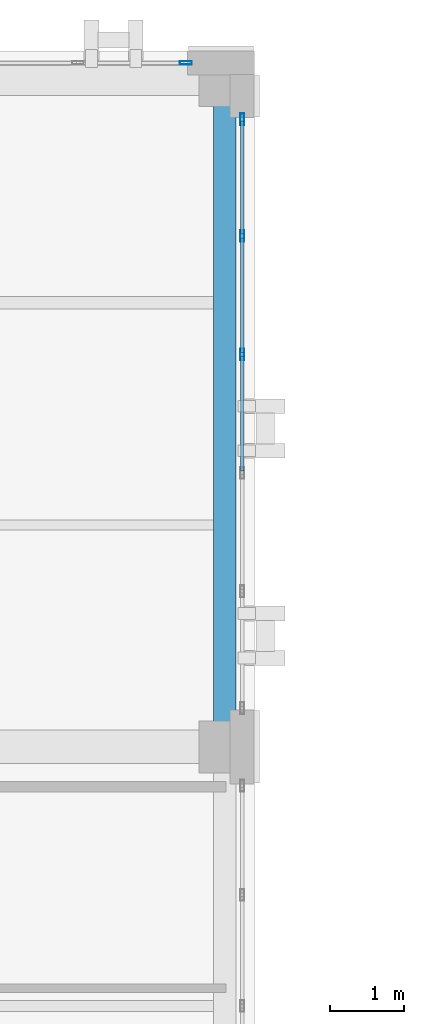
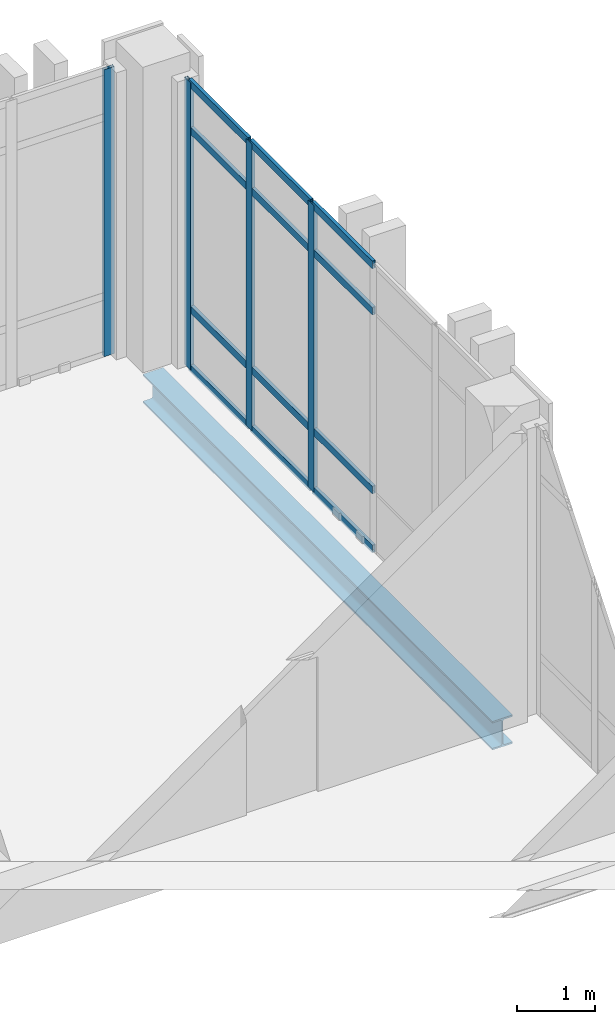
# One storey, part 113 of 189: 16 members, 1 beam, 2 elements without a shape of their own.
"""IFC4 building model written with IfcOpenShell, lengths in metres."""

from ifc_helpers import new_model, si_unit, direction, frame, origin, origin_2d, place, context, subcontext, project, spatial, hollow_rectangle, i_section, extrude, material, layer, layer_set, material_profile, profile_set, type_object, element, aggregate, save


model = new_model("IFC4")

# Units and contexts
model_context = context("Model", 3, precision=1e-05, world=origin(), true_north=direction((0.0, 1.0)))
body_context = subcontext(model_context, "Body", "Model", "MODEL_VIEW")
ifc_project = project(units=[si_unit("LENGTHUNIT", "METRE"), si_unit("AREAUNIT", "SQUARE_METRE"), si_unit("VOLUMEUNIT", "CUBIC_METRE"), si_unit("PLANEANGLEUNIT", "RADIAN"), si_unit("MASSUNIT", "GRAM", prefix="KILO")], contexts=[model_context])

# Site, building, storey
site_placement = place(None, origin())
site = spatial("IfcSite", under=ifc_project, at=site_placement, CompositionType="ELEMENT")
building_placement = place(site_placement, origin())
building = spatial("IfcBuilding", under=site, at=building_placement, Name="Qalavern Law Courts", CompositionType="ELEMENT")
storey_placement = place(building_placement, frame((0.0, 0.0, 5.39990234375)))
storey = spatial("IfcBuildingStorey", under=building, at=storey_placement, Name="L01", CompositionType="ELEMENT", Elevation=5.39990234375)

# Curtain wall, members
ifc_material_1 = material(Name="Anodised aluminium and insulated glazing", Category="aluminium")
ifc_layer = layer(ifc_material_1, 0.166015625)
ifc_layer_set = layer_set([ifc_layer], Name="Anodised aluminium and insulated glazing")
curtain_wall_type = type_object("IfcCurtainWallType", Name="ENV-CW-LIB", PredefinedType="USERDEFINED", material=ifc_layer_set)
curtain_wall_1_placement = place(storey_placement, origin())
curtain_wall_1 = element("IfcCurtainWall", 1, at=curtain_wall_1_placement, inside=storey, type_object=curtain_wall_type, Name="V5 unitised curtain wall L01 east 2", ObjectType="UNITISED CURTAIN WALL", PredefinedType="USERDEFINED")
ifc_material_2 = material(Name="Anodised aluminium", Category="aluminium")
ifc_material_profile_1 = material_profile(ifc_material_2, hollow_rectangle(XDim=0.048095703125, YDim=0.159912109375, WallThickness=0.00390625, at=origin_2d()), Name="ALU MULLION 48x160")
ifc_profile_set_1 = profile_set([ifc_material_profile_1], Name="Anodised aluminium")
member_type_1 = type_object("IfcMemberType", Name="ENV-CWM-48x160", PredefinedType="MULLION", material=ifc_profile_set_1)
member_1_placement = place(storey_placement, frame((66.637451171875, 108.89990234375, 0.0), z_axis=(0.0, 0.0, 1.0), x_axis=(-1.0, 0.0, 0.0)))
member_1 = element("IfcMember", 2, at=member_1_placement, type_object=member_type_1, Name="CW-05 mullion 4", PredefinedType="MULLION", context=body_context, shape_type="SweptSolid", body=[
    extrude(hollow_rectangle(XDim=0.048095703125, YDim=0.159912109375, WallThickness=0.00390625, at=origin_2d()), origin(), (0.0, 0.0, 1.0), 4.510009765625),
])
member_2_placement = place(storey_placement, frame((66.637451171875, 110.5, 0.0), z_axis=(0.0, 0.0, 1.0), x_axis=(-1.0, 0.0, 0.0)))
member_2 = element("IfcMember", 3, at=member_2_placement, type_object=member_type_1, Name="CW-05 mullion 5", PredefinedType="MULLION", context=body_context, shape_type="SweptSolid", body=[
    extrude(hollow_rectangle(XDim=0.048095703125, YDim=0.159912109375, WallThickness=0.00390625, at=origin_2d()), origin(), (0.0, 0.0, 1.0), 4.510009765625),
])
member_3_placement = place(storey_placement, frame((66.637451171875, 112.075927734375, 0.0), z_axis=(0.0, 0.0, 1.0), x_axis=(-1.0, 0.0, 0.0)))
member_3 = element("IfcMember", 4, at=member_3_placement, type_object=member_type_1, Name="CW-05 mullion 6", PredefinedType="MULLION", context=body_context, shape_type="SweptSolid", body=[
    extrude(hollow_rectangle(XDim=0.048095703125, YDim=0.159912109375, WallThickness=0.00390625, at=origin_2d()), origin(), (0.0, 0.0, 1.0), 4.510009765625),
])

# Curtain wall, member
curtain_wall_2_placement = place(storey_placement, origin())
curtain_wall_2 = element("IfcCurtainWall", 5, at=curtain_wall_2_placement, inside=storey, type_object=curtain_wall_type, Name="V5 unitised curtain wall L01 north 1", ObjectType="UNITISED CURTAIN WALL", PredefinedType="USERDEFINED")
member_4_placement = place(storey_placement, frame((65.8759765625, 112.83740234375, 0.0), z_axis=(0.0, 0.0, 1.0), x_axis=(0.0, -1.0, 0.0)))
member_4 = element("IfcMember", 6, at=member_4_placement, type_object=member_type_1, Name="CW-05 mullion 1", PredefinedType="MULLION", context=body_context, shape_type="SweptSolid", body=[
    extrude(hollow_rectangle(XDim=0.048095703125, YDim=0.159912109375, WallThickness=0.00390625, at=origin_2d()), origin(), (0.0, 0.0, 1.0), 4.510009765625),
])
aggregate(curtain_wall_2, [member_4])

# Member
ifc_material_profile_2 = material_profile(ifc_material_2, hollow_rectangle(XDim=0.048095703125, YDim=0.1201171875, WallThickness=0.00390625, at=origin_2d()), Name="ALU TRANSOM 48x120")
ifc_profile_set_2 = profile_set([ifc_material_profile_2], Name="Anodised aluminium")
member_type_2 = type_object("IfcMemberType", Name="ENV-CWT-48x120", PredefinedType="USERDEFINED", material=ifc_profile_set_2)
member_5_placement = place(storey_placement, frame((66.637451171875, 107.323974609375, 0.024169921875), z_axis=(0.0, 1.0, 0.0), x_axis=(-1.0, 0.0, 0.0)))
member_5 = element("IfcMember", 7, at=member_5_placement, type_object=member_type_2, Name="CW-05 transom 3.1", ObjectType="TRANSOM", PredefinedType="USERDEFINED", context=body_context, shape_type="SweptSolid", body=[
    extrude(hollow_rectangle(XDim=0.048095703125, YDim=0.1201171875, WallThickness=0.00390625, at=origin_2d()), origin(), (0.0, 0.0, 1.0), 1.552001953125),
])

member_6_placement = place(storey_placement, frame((66.637451171875, 107.323974609375, 0.9501953125), z_axis=(0.0, 1.0, 0.0), x_axis=(-1.0, 0.0, 0.0)))
member_6 = element("IfcMember", 8, at=member_6_placement, type_object=member_type_2, Name="CW-05 transom 3.2", ObjectType="TRANSOM", PredefinedType="USERDEFINED", context=body_context, shape_type="SweptSolid", body=[
    extrude(hollow_rectangle(XDim=0.048095703125, YDim=0.1201171875, WallThickness=0.00390625, at=origin_2d()), origin(), (0.0, 0.0, 1.0), 1.552001953125),
])

member_7_placement = place(storey_placement, frame((66.637451171875, 107.323974609375, 3.760009765625), z_axis=(0.0, 1.0, 0.0), x_axis=(-1.0, 0.0, 0.0)))
member_7 = element("IfcMember", 9, at=member_7_placement, type_object=member_type_2, Name="CW-05 transom 3.3", ObjectType="TRANSOM", PredefinedType="USERDEFINED", context=body_context, shape_type="SweptSolid", body=[
    extrude(hollow_rectangle(XDim=0.048095703125, YDim=0.1201171875, WallThickness=0.00390625, at=origin_2d()), origin(), (0.0, 0.0, 1.0), 1.552001953125),
])

member_8_placement = place(storey_placement, frame((66.637451171875, 107.323974609375, 4.486083984375), z_axis=(0.0, 1.0, 0.0), x_axis=(-1.0, 0.0, 0.0)))
member_8 = element("IfcMember", 10, at=member_8_placement, type_object=member_type_2, Name="CW-05 transom 3.4", ObjectType="TRANSOM", PredefinedType="USERDEFINED", context=body_context, shape_type="SweptSolid", body=[
    extrude(hollow_rectangle(XDim=0.048095703125, YDim=0.1201171875, WallThickness=0.00390625, at=origin_2d()), origin(), (0.0, 0.0, 1.0), 1.552001953125),
])

member_9_placement = place(storey_placement, frame((66.637451171875, 108.924072265625, 0.024169921875), z_axis=(0.0, 1.0, 0.0), x_axis=(-1.0, 0.0, 0.0)))
member_9 = element("IfcMember", 11, at=member_9_placement, type_object=member_type_2, Name="CW-05 transom 4.1", ObjectType="TRANSOM", PredefinedType="USERDEFINED", context=body_context, shape_type="SweptSolid", body=[
    extrude(hollow_rectangle(XDim=0.048095703125, YDim=0.1201171875, WallThickness=0.00390625, at=origin_2d()), origin(), (0.0, 0.0, 1.0), 1.552001953125),
])

member_10_placement = place(storey_placement, frame((66.637451171875, 108.924072265625, 0.9501953125), z_axis=(0.0, 1.0, 0.0), x_axis=(-1.0, 0.0, 0.0)))
member_10 = element("IfcMember", 12, at=member_10_placement, type_object=member_type_2, Name="CW-05 transom 4.2", ObjectType="TRANSOM", PredefinedType="USERDEFINED", context=body_context, shape_type="SweptSolid", body=[
    extrude(hollow_rectangle(XDim=0.048095703125, YDim=0.1201171875, WallThickness=0.00390625, at=origin_2d()), origin(), (0.0, 0.0, 1.0), 1.552001953125),
])

member_11_placement = place(storey_placement, frame((66.637451171875, 108.924072265625, 3.760009765625), z_axis=(0.0, 1.0, 0.0), x_axis=(-1.0, 0.0, 0.0)))
member_11 = element("IfcMember", 13, at=member_11_placement, type_object=member_type_2, Name="CW-05 transom 4.3", ObjectType="TRANSOM", PredefinedType="USERDEFINED", context=body_context, shape_type="SweptSolid", body=[
    extrude(hollow_rectangle(XDim=0.048095703125, YDim=0.1201171875, WallThickness=0.00390625, at=origin_2d()), origin(), (0.0, 0.0, 1.0), 1.552001953125),
])

member_12_placement = place(storey_placement, frame((66.637451171875, 108.924072265625, 4.486083984375), z_axis=(0.0, 1.0, 0.0), x_axis=(-1.0, 0.0, 0.0)))
member_12 = element("IfcMember", 14, at=member_12_placement, type_object=member_type_2, Name="CW-05 transom 4.4", ObjectType="TRANSOM", PredefinedType="USERDEFINED", context=body_context, shape_type="SweptSolid", body=[
    extrude(hollow_rectangle(XDim=0.048095703125, YDim=0.1201171875, WallThickness=0.00390625, at=origin_2d()), origin(), (0.0, 0.0, 1.0), 1.552001953125),
])

member_13_placement = place(storey_placement, frame((66.637451171875, 110.52392578125, 0.024169921875), z_axis=(0.0, 1.0, 0.0), x_axis=(-1.0, 0.0, 0.0)))
member_13 = element("IfcMember", 15, at=member_13_placement, type_object=member_type_2, Name="CW-05 transom 5.1", ObjectType="TRANSOM", PredefinedType="USERDEFINED", context=body_context, shape_type="SweptSolid", body=[
    extrude(hollow_rectangle(XDim=0.048095703125, YDim=0.1201171875, WallThickness=0.00390625, at=origin_2d()), origin(), (0.0, 0.0, 1.0), 1.528076171875),
])

member_14_placement = place(storey_placement, frame((66.637451171875, 110.52392578125, 0.9501953125), z_axis=(0.0, 1.0, 0.0), x_axis=(-1.0, 0.0, 0.0)))
member_14 = element("IfcMember", 16, at=member_14_placement, type_object=member_type_2, Name="CW-05 transom 5.2", ObjectType="TRANSOM", PredefinedType="USERDEFINED", context=body_context, shape_type="SweptSolid", body=[
    extrude(hollow_rectangle(XDim=0.048095703125, YDim=0.1201171875, WallThickness=0.00390625, at=origin_2d()), origin(), (0.0, 0.0, 1.0), 1.528076171875),
])

member_15_placement = place(storey_placement, frame((66.637451171875, 110.52392578125, 3.760009765625), z_axis=(0.0, 1.0, 0.0), x_axis=(-1.0, 0.0, 0.0)))
member_15 = element("IfcMember", 17, at=member_15_placement, type_object=member_type_2, Name="CW-05 transom 5.3", ObjectType="TRANSOM", PredefinedType="USERDEFINED", context=body_context, shape_type="SweptSolid", body=[
    extrude(hollow_rectangle(XDim=0.048095703125, YDim=0.1201171875, WallThickness=0.00390625, at=origin_2d()), origin(), (0.0, 0.0, 1.0), 1.528076171875),
])

member_16_placement = place(storey_placement, frame((66.637451171875, 110.52392578125, 4.486083984375), z_axis=(0.0, 1.0, 0.0), x_axis=(-1.0, 0.0, 0.0)))
member_16 = element("IfcMember", 18, at=member_16_placement, type_object=member_type_2, Name="CW-05 transom 5.4", ObjectType="TRANSOM", PredefinedType="USERDEFINED", context=body_context, shape_type="SweptSolid", body=[
    extrude(hollow_rectangle(XDim=0.048095703125, YDim=0.1201171875, WallThickness=0.00390625, at=origin_2d()), origin(), (0.0, 0.0, 1.0), 1.528076171875),
])

aggregate(curtain_wall_1, [member_1, member_2, member_3, member_5, member_6, member_7, member_8, member_9, member_10, member_11, member_12, member_13, member_14, member_15, member_16])

# Beam
ifc_material_3 = material(Name="Steel S355", Category="steel")
ifc_material_profile_3 = material_profile(ifc_material_3, i_section(OverallWidth=0.300048828125, OverallDepth=0.449951171875, WebThickness=0.013916015625, FlangeThickness=0.02587890625, FilletRadius=0.027099609375, at=origin_2d()), Name="HEB 450")
ifc_profile_set_3 = profile_set([ifc_material_profile_3], Name="Steel S355")
beam_type = type_object("IfcBeamType", Name="STR-SP-HEB450", PredefinedType="SPANDREL", material=ifc_profile_set_3)
beam_placement = place(storey_placement, frame((66.39990234375, 103.60009765625, -0.52490234375), z_axis=(0.0, 1.0, 0.0), x_axis=(-1.0, 0.0, 0.0)))
element("IfcBeam", 19, at=beam_placement, inside=storey, type_object=beam_type, Name="V5 Y-beam 9-2 L01", PredefinedType="SPANDREL", context=body_context, shape_type="SweptSolid", body=[
    extrude(i_section(OverallWidth=0.300048828125, OverallDepth=0.449951171875, WebThickness=0.013916015625, FlangeThickness=0.02587890625, FilletRadius=0.027099609375, at=origin_2d()), origin(), (0.0, 0.0, 1.0), 9.0),
])

save(model, "model.ifc")
